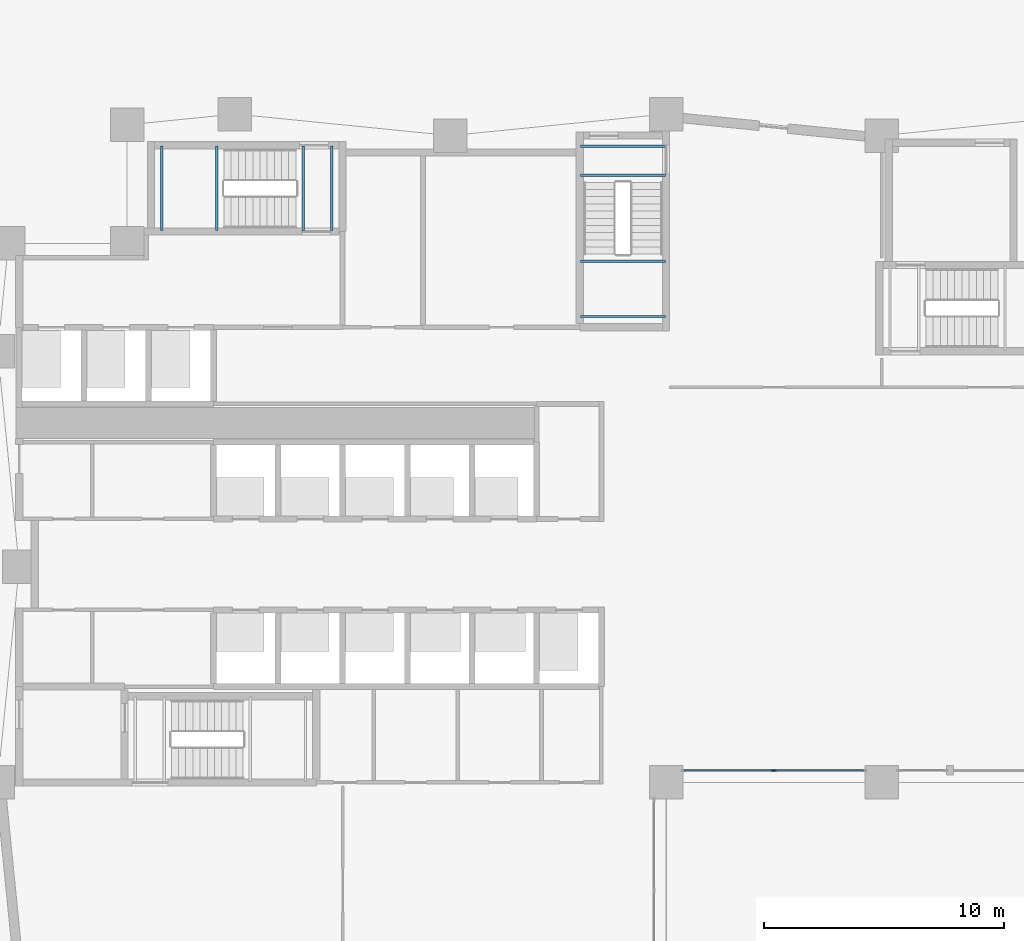
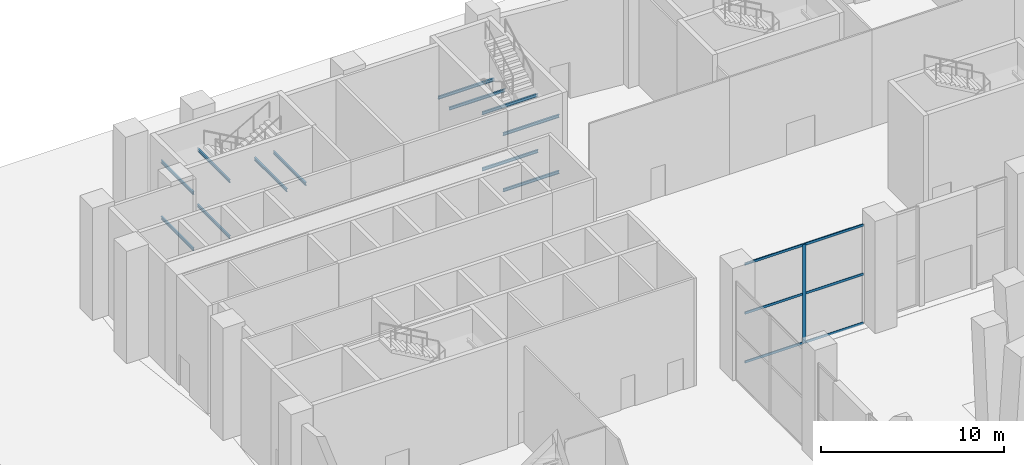
# One storey, part 3 of 16: 12 beams, 7 members, 1 element without a shape of its own.
"""IFC4 building model written with IfcOpenShell, lengths in metres."""

from ifc_helpers import new_model, si_unit, direction, frame, origin, origin_2d, place, context, subcontext, project, spatial, rectangle, i_section, extrude, material, material_profile, profile_set, type_object, element, aggregate, save


model = new_model("IFC4")

# Units and contexts
model_context = context("Model", 3, precision=1e-05, world=origin(), true_north=direction((0.0, 1.0)))
body_context = subcontext(model_context, "Body", "Model", "MODEL_VIEW")
ifc_project = project(units=[si_unit("LENGTHUNIT", "METRE"), si_unit("AREAUNIT", "SQUARE_METRE"), si_unit("VOLUMEUNIT", "CUBIC_METRE"), si_unit("PLANEANGLEUNIT", "RADIAN"), si_unit("MASSUNIT", "GRAM", prefix="KILO")], contexts=[model_context])

# Site, building, storey
site_placement = place(None, origin())
site = spatial("IfcSite", under=ifc_project, at=site_placement, CompositionType="ELEMENT")
building_placement = place(site_placement, origin())
building = spatial("IfcBuilding", under=site, at=building_placement, Name="Brondeck Convention Tower", CompositionType="ELEMENT")
storey_placement = place(building_placement, origin())
storey = spatial("IfcBuildingStorey", under=building, at=storey_placement, Name="L00", CompositionType="ELEMENT", Elevation=0.0)

# Curtain wall, members
ifc_material_1 = material(Name="Aluminium, bronze anodised", Category="aluminium")
curtain_wall_type = type_object("IfcCurtainWallType", Name="Lobby and concourse curtain wall", PredefinedType="NOTDEFINED", material=ifc_material_1)
curtain_wall_placement = place(storey_placement, origin())
curtain_wall = element("IfcCurtainWall", 1, at=curtain_wall_placement, inside=storey, type_object=curtain_wall_type, Name="ENV-CW1-L00-A-S-01", PredefinedType="NOTDEFINED")
ifc_material_profile_1 = material_profile(ifc_material_1, rectangle(XDim=0.06005859375, YDim=0.199951171875, at=origin_2d()), Name="CW1 mullion")
ifc_profile_set_1 = profile_set([ifc_material_profile_1], Name="Aluminium, bronze anodised")
member_type_1 = type_object("IfcMemberType", Name="CW1 mullion", PredefinedType="MULLION", material=ifc_profile_set_1)
member_1_placement = place(storey_placement, frame((31.5, 36.5, 0.0), z_axis=(0.0, 0.0, 1.0), x_axis=(0.0, -1.0, 0.0)))
member_1 = element("IfcMember", 2, at=member_1_placement, type_object=member_type_1, Name="CW1 mullion 2", PredefinedType="MULLION", context=body_context, shape_type="SweptSolid", body=[
    extrude(rectangle(XDim=0.06005859375, YDim=0.199951171875, at=origin_2d()), origin(), (0.0, 0.0, 1.0), 6.60009765625),
])
ifc_material_profile_2 = material_profile(ifc_material_1, rectangle(XDim=0.06005859375, YDim=0.159912109375, at=origin_2d()), Name="CW1 transom")
ifc_profile_set_2 = profile_set([ifc_material_profile_2], Name="Aluminium, bronze anodised")
member_type_2 = type_object("IfcMemberType", Name="CW1 transom", PredefinedType="USERDEFINED", material=ifc_profile_set_2)
member_2_placement = place(storey_placement, frame((35.239990234375, 36.5, 0.030029296875), z_axis=(-1.0, 0.0, 0.0), x_axis=(0.0, -1.0, 0.0)))
member_2 = element("IfcMember", 3, at=member_2_placement, type_object=member_type_2, Name="CW1 transom 1.1", ObjectType="TRANSOM", PredefinedType="USERDEFINED", context=body_context, shape_type="SweptSolid", body=[
    extrude(rectangle(XDim=0.06005859375, YDim=0.159912109375, at=origin_2d()), origin(), (0.0, 0.0, 1.0), 3.7099609375),
])
member_3_placement = place(storey_placement, frame((35.239990234375, 36.5, 3.300048828125), z_axis=(-1.0, 0.0, 0.0), x_axis=(0.0, -1.0, 0.0)))
member_3 = element("IfcMember", 4, at=member_3_placement, type_object=member_type_2, Name="CW1 transom 1.2", ObjectType="TRANSOM", PredefinedType="USERDEFINED", context=body_context, shape_type="SweptSolid", body=[
    extrude(rectangle(XDim=0.06005859375, YDim=0.159912109375, at=origin_2d()), origin(), (0.0, 0.0, 1.0), 3.7099609375),
])
member_4_placement = place(storey_placement, frame((35.239990234375, 36.5, 6.570068359375), z_axis=(-1.0, 0.0, 0.0), x_axis=(0.0, -1.0, 0.0)))
member_4 = element("IfcMember", 5, at=member_4_placement, type_object=member_type_2, Name="CW1 transom 1.3", ObjectType="TRANSOM", PredefinedType="USERDEFINED", context=body_context, shape_type="SweptSolid", body=[
    extrude(rectangle(XDim=0.06005859375, YDim=0.159912109375, at=origin_2d()), origin(), (0.0, 0.0, 1.0), 3.7099609375),
])
member_5_placement = place(storey_placement, frame((31.469970703125, 36.5, 0.030029296875), z_axis=(-1.0, 0.0, 0.0), x_axis=(0.0, -1.0, 0.0)))
member_5 = element("IfcMember", 6, at=member_5_placement, type_object=member_type_2, Name="CW1 transom 2.1", ObjectType="TRANSOM", PredefinedType="USERDEFINED", context=body_context, shape_type="SweptSolid", body=[
    extrude(rectangle(XDim=0.06005859375, YDim=0.159912109375, at=origin_2d()), origin(), (0.0, 0.0, 1.0), 3.7099609375),
])
member_6_placement = place(storey_placement, frame((31.469970703125, 36.5, 3.300048828125), z_axis=(-1.0, 0.0, 0.0), x_axis=(0.0, -1.0, 0.0)))
member_6 = element("IfcMember", 7, at=member_6_placement, type_object=member_type_2, Name="CW1 transom 2.2", ObjectType="TRANSOM", PredefinedType="USERDEFINED", context=body_context, shape_type="SweptSolid", body=[
    extrude(rectangle(XDim=0.06005859375, YDim=0.159912109375, at=origin_2d()), origin(), (0.0, 0.0, 1.0), 3.7099609375),
])
member_7_placement = place(storey_placement, frame((31.469970703125, 36.5, 6.570068359375), z_axis=(-1.0, 0.0, 0.0), x_axis=(0.0, -1.0, 0.0)))
member_7 = element("IfcMember", 8, at=member_7_placement, type_object=member_type_2, Name="CW1 transom 2.3", ObjectType="TRANSOM", PredefinedType="USERDEFINED", context=body_context, shape_type="SweptSolid", body=[
    extrude(rectangle(XDim=0.06005859375, YDim=0.159912109375, at=origin_2d()), origin(), (0.0, 0.0, 1.0), 3.7099609375),
])
aggregate(curtain_wall, [member_1, member_2, member_3, member_4, member_5, member_6, member_7])

# Beams
ifc_material_2 = material(Name="Steel S355", Category="steel")
ifc_material_profile_3 = material_profile(ifc_material_2, i_section(OverallWidth=0.10009765625, OverallDepth=0.199951171875, WebThickness=0.005615234375, FlangeThickness=0.008544921875, FilletRadius=0.011962890625, at=origin_2d()), Name="IPE200")
ifc_profile_set_3 = profile_set([ifc_material_profile_3], Name="Steel S355")
beam_type = type_object("IfcBeamType", Name="Landing ledger beam IPE 200", PredefinedType="BEAM", material=ifc_profile_set_3)
for number, where, z_axis, x_axis, name in (
    (9, (23.429931640625, 57.75, 1.52490234375), (1.0, 0.0, 0.0), (0.0, 1.0, 0.0), "L00 ST-2 landing beam"),
    (10, (23.429931640625, 55.449951171875, 1.52490234375), (1.0, 0.0, 0.0), (0.0, 1.0, 0.0), "L00 ST-2 landing beam"),
    (11, (23.429931640625, 62.550048828125, 3.39990234375), (1.0, 0.0, 0.0), (0.0, 1.0, 0.0), "L00 ST-2 landing beam"),
    (12, (23.429931640625, 61.35009765625, 3.39990234375), (1.0, 0.0, 0.0), (0.0, 1.0, 0.0), "L00 ST-2 landing beam"),
    (13, (23.429931640625, 57.75, 5.27490234375), (1.0, 0.0, 0.0), (0.0, 1.0, 0.0), "L00 ST-2 landing beam"),
    (14, (23.429931640625, 55.449951171875, 5.27490234375), (1.0, 0.0, 0.0), (0.0, 1.0, 0.0), "L00 ST-2 landing beam"),
    (15, (8.25, 62.570068359375, 1.52490234375), (0.0, -1.0, 0.0), (1.0, 0.0, 0.0), "L00 ST-3 landing beam"),
    (16, (5.949951171875, 62.570068359375, 1.52490234375), (0.0, -1.0, 0.0), (1.0, 0.0, 0.0), "L00 ST-3 landing beam"),
    (17, (13.050048828125, 62.570068359375, 3.39990234375), (0.0, -1.0, 0.0), (1.0, 0.0, 0.0), "L00 ST-3 landing beam"),
    (18, (11.85009765625, 62.570068359375, 3.39990234375), (0.0, -1.0, 0.0), (1.0, 0.0, 0.0), "L00 ST-3 landing beam"),
    (19, (8.25, 62.570068359375, 5.27490234375), (0.0, -1.0, 0.0), (1.0, 0.0, 0.0), "L00 ST-3 landing beam"),
    (20, (5.949951171875, 62.570068359375, 5.27490234375), (0.0, -1.0, 0.0), (1.0, 0.0, 0.0), "L00 ST-3 landing beam"),
):
    element("IfcBeam", number, at=place(storey_placement, frame(where, z_axis=z_axis, x_axis=x_axis)), inside=storey, type_object=beam_type, Name=name, PredefinedType="BEAM", context=body_context, shape_type="SweptSolid", body=[
        extrude(i_section(OverallWidth=0.10009765625, OverallDepth=0.199951171875, WebThickness=0.005615234375, FlangeThickness=0.008544921875, FilletRadius=0.011962890625, at=origin_2d()), origin(), (0.0, 0.0, 1.0), 3.5400390625),
    ])

save(model, "model.ifc")
